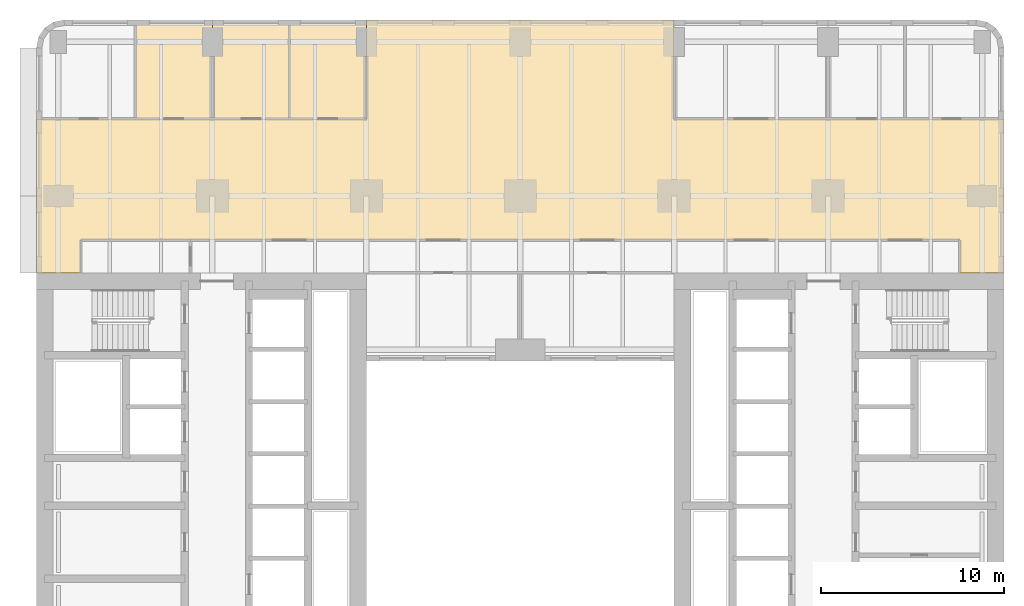
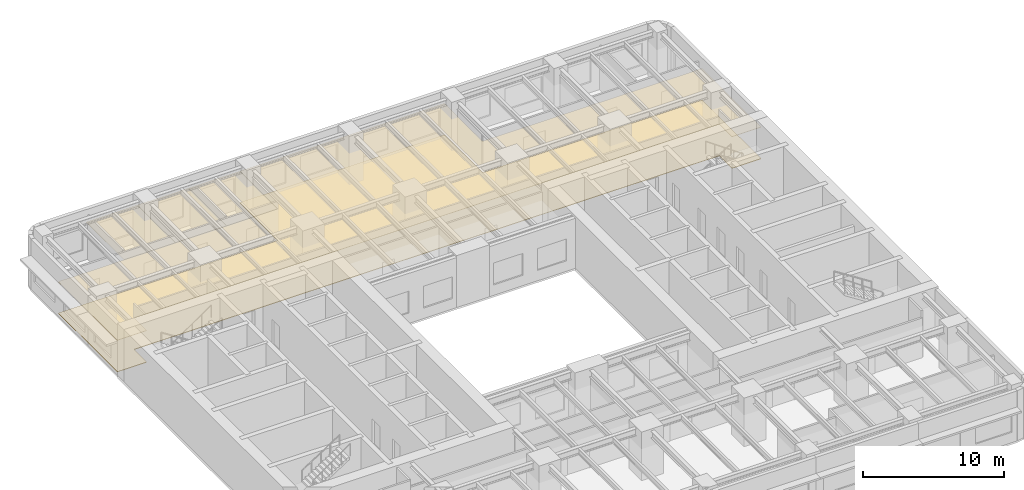
# One storey, part 13 of 14: 5 coverings.
"""IFC4 building model written with IfcOpenShell, lengths in metres."""

from ifc_helpers import new_model, si_unit, direction, frame, origin, place, context, subcontext, project, spatial, polyline, outline, extrude, material, layer, layer_set, type_object, element, save


model = new_model("IFC4")

# Units and contexts
model_context = context("Model", 3, precision=1e-05, world=origin(), true_north=direction((0.0, 1.0)))
body_context = subcontext(model_context, "Body", "Model", "MODEL_VIEW")
ifc_project = project(units=[si_unit("LENGTHUNIT", "METRE"), si_unit("AREAUNIT", "SQUARE_METRE"), si_unit("VOLUMEUNIT", "CUBIC_METRE"), si_unit("PLANEANGLEUNIT", "RADIAN"), si_unit("MASSUNIT", "GRAM", prefix="KILO")], contexts=[model_context])

# Site, building, storey
site_placement = place(None, origin())
site = spatial("IfcSite", under=ifc_project, at=site_placement, CompositionType="ELEMENT")
building_placement = place(site_placement, origin())
building = spatial("IfcBuilding", under=site, at=building_placement, Name="Claustro Exchange Tower", CompositionType="ELEMENT")
storey_placement = place(building_placement, frame((0.0, 0.0, 27.89990234375)))
storey = spatial("IfcBuildingStorey", under=building, at=storey_placement, Name="L06", CompositionType="ELEMENT", Elevation=27.89990234375)

# Coverings
ifc_material_1 = material(Name="Gypsum board ceiling", Category="gypsum board")
ifc_layer_1 = layer(ifc_material_1, 0.02490234375)
ifc_layer_set_1 = layer_set([ifc_layer_1], Name="Gypsum board ceiling")
covering_type_1 = type_object("IfcCoveringType", Name="CL2 plasterboard ceiling", PredefinedType="CEILING", material=ifc_layer_set_1)
covering_1_placement = place(storey_placement, frame((0.0, 0.0, 3.0)))
element("IfcCovering", 1, at=covering_1_placement, inside=storey, type_object=covering_type_1, Name="Ceiling CL2 L06-15", PredefinedType="CEILING", context=body_context, shape_type="SweptSolid", body=[
    extrude(outline(polyline([(-1.199951171875, 46.199951171875), (-1.199951171875, 37.800048828125), (1.199951171875, 37.800048828125), (1.199951171875, 39.60009765625), (7.199951171875, 39.60009765625), (49.199951171875, 39.60009765625), (49.199951171875, 37.800048828125), (51.60009765625, 37.800048828125), (51.60009765625, 46.199951171875), (46.199951171875, 46.199951171875), (42.0, 46.199951171875), (33.60009765625, 46.199951171875), (33.60009765625, 51.60009765625), (16.800048828125, 51.60009765625), (16.800048828125, 46.199951171875), (12.60009765625, 46.199951171875), (8.39990234375, 46.199951171875), (4.199951171875, 46.199951171875), (-1.199951171875, 46.199951171875)])), origin(), (0.0, 0.0, 1.0), 0.025146484375),
])
covering_2_placement = place(storey_placement, frame((0.0, 0.0, 3.0)))
element("IfcCovering", 2, at=covering_2_placement, inside=storey, type_object=covering_type_1, Name="Ceiling CL2 L06-17", PredefinedType="CEILING", context=body_context, shape_type="SweptSolid", body=[
    extrude(outline(polyline([(8.39990234375, 51.60009765625), (4.199951171875, 51.60009765625), (4.199951171875, 46.199951171875), (8.39990234375, 46.199951171875), (8.39990234375, 51.60009765625)])), origin(), (0.0, 0.0, 1.0), 0.025146484375),
])
covering_3_placement = place(storey_placement, frame((0.0, 0.0, 3.0)))
element("IfcCovering", 3, at=covering_3_placement, inside=storey, type_object=covering_type_1, Name="Ceiling CL2 L06-18", PredefinedType="CEILING", context=body_context, shape_type="SweptSolid", body=[
    extrude(outline(polyline([(12.60009765625, 51.60009765625), (8.39990234375, 51.60009765625), (8.39990234375, 46.199951171875), (12.60009765625, 46.199951171875), (12.60009765625, 51.60009765625)])), origin(), (0.0, 0.0, 1.0), 0.025146484375),
])
covering_4_placement = place(storey_placement, frame((0.0, 0.0, 3.0)))
element("IfcCovering", 4, at=covering_4_placement, inside=storey, type_object=covering_type_1, Name="Ceiling CL2 L06-19", PredefinedType="CEILING", context=body_context, shape_type="SweptSolid", body=[
    extrude(outline(polyline([(16.800048828125, 51.60009765625), (12.60009765625, 51.60009765625), (12.60009765625, 46.199951171875), (16.800048828125, 46.199951171875), (16.800048828125, 51.60009765625)])), origin(), (0.0, 0.0, 1.0), 0.025146484375),
])
ifc_material_2 = material(Name="Steel-encased raised floor panels on pedestals", Category="steel")
ifc_layer_2 = layer(ifc_material_2, 0.0400390625)
ifc_layer_set_2 = layer_set([ifc_layer_2], Name="Steel-encased raised floor panels on pedestals")
covering_type_2 = type_object("IfcCoveringType", Name="RF1 300 raised access floor", PredefinedType="FLOORING", material=ifc_layer_set_2)
covering_5_placement = place(storey_placement, frame((0.0, 0.0, 0.260009765625)))
element("IfcCovering", 5, at=covering_5_placement, inside=storey, type_object=covering_type_2, Name="Raised access floor RF1 L06-15", PredefinedType="FLOORING", context=body_context, shape_type="SweptSolid", body=[
    extrude(outline(polyline([(-1.199951171875, 46.199951171875), (-1.199951171875, 37.800048828125), (1.199951171875, 37.800048828125), (1.199951171875, 39.60009765625), (7.199951171875, 39.60009765625), (49.199951171875, 39.60009765625), (49.199951171875, 37.800048828125), (51.60009765625, 37.800048828125), (51.60009765625, 46.199951171875), (46.199951171875, 46.199951171875), (42.0, 46.199951171875), (33.60009765625, 46.199951171875), (33.60009765625, 51.60009765625), (16.800048828125, 51.60009765625), (16.800048828125, 46.199951171875), (12.60009765625, 46.199951171875), (8.39990234375, 46.199951171875), (4.199951171875, 46.199951171875), (-1.199951171875, 46.199951171875)])), origin(), (0.0, 0.0, 1.0), 0.0400390625),
])

save(model, "model.ifc")
